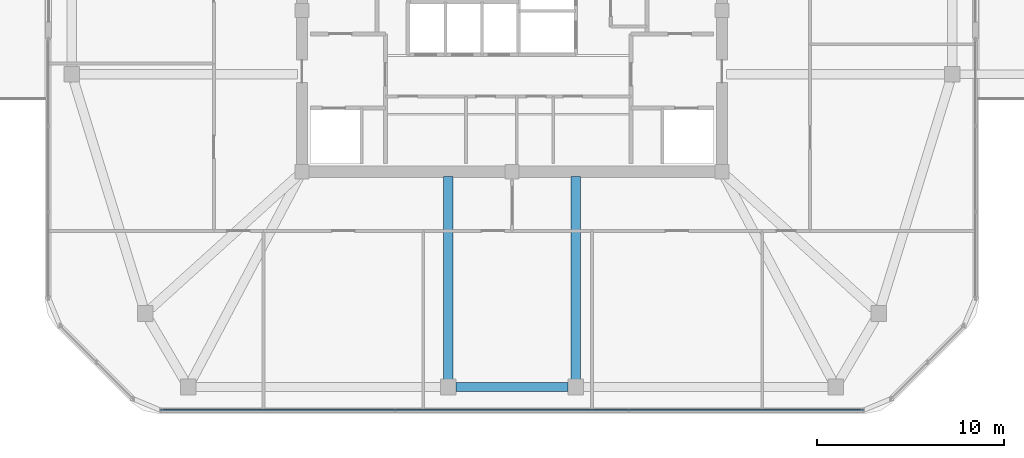
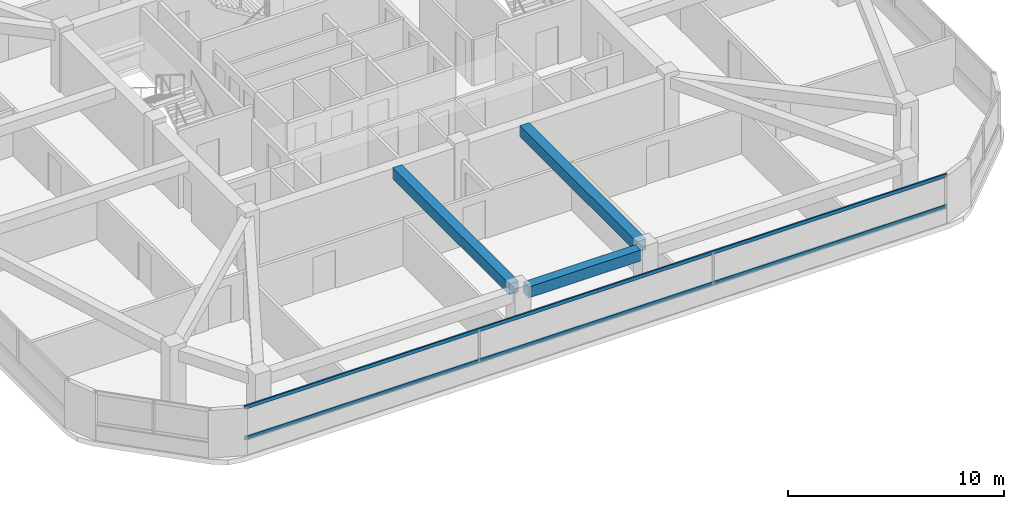
# One storey, part 3 of 13: 3 beams, 2 members, 1 element without a shape of its own.
"""IFC4 building model written with IfcOpenShell, lengths in metres."""

from ifc_helpers import new_model, si_unit, derived_unit, direction, frame, origin, origin_2d, place, context, subcontext, project, spatial, rectangle, extrude, material, material_profile, profile_set, type_object, element, aggregate, save


model = new_model("IFC4")

# Units and contexts
model_context = context("Model", 3, precision=1e-05, world=origin(), true_north=direction((0.0, 1.0)))
body_context = subcontext(model_context, "Body", "Model", "MODEL_VIEW")
ifc_project = project(units=[si_unit("LENGTHUNIT", "METRE"), si_unit("AREAUNIT", "SQUARE_METRE"), si_unit("VOLUMEUNIT", "CUBIC_METRE"), si_unit("PLANEANGLEUNIT", "RADIAN"), si_unit("MASSUNIT", "GRAM", prefix="KILO"), derived_unit("THERMALTRANSMITTANCEUNIT", [(si_unit("POWERUNIT", "WATT"), 1), (si_unit("LENGTHUNIT", "METRE"), -2), (si_unit("THERMODYNAMICTEMPERATUREUNIT", "KELVIN"), -1)])], contexts=[model_context])

# Site, building, storey
site_placement = place(None, origin())
site = spatial("IfcSite", under=ifc_project, at=site_placement, CompositionType="ELEMENT")
building_placement = place(site_placement, origin())
building = spatial("IfcBuilding", under=site, at=building_placement, Name="Koralith Skygarden Medical Center", CompositionType="ELEMENT")
storey_placement = place(building_placement, frame((0.0, 0.0, 271.6201171875)))
storey = spatial("IfcBuildingStorey", under=building, at=storey_placement, Name="L70", CompositionType="ELEMENT", Elevation=271.6201171875)

# Curtain wall, members
ifc_material_1 = material(Name="Clear Laminated Glass", Category="glass")
curtain_wall_type = type_object("IfcCurtainWallType", Name="CW-6 Zone 5 Upper Clinical Curtain Wall", PredefinedType="NOTDEFINED", material=ifc_material_1)
curtain_wall_placement = place(storey_placement, origin())
curtain_wall = element("IfcCurtainWall", 1, at=curtain_wall_placement, inside=storey, type_object=curtain_wall_type, Name="Curtain Wall CW-L70-S", PredefinedType="NOTDEFINED")
ifc_material_2 = material(Name="Aluminium 6063-T6", Category="aluminium")
ifc_material_profile_1 = material_profile(ifc_material_2, rectangle(XDim=0.077880859375, YDim=0.197998046875, at=origin_2d()), Name="TRN78X198")
ifc_profile_set_1 = profile_set([ifc_material_profile_1], Name="Aluminium 6063-T6")
member_type = type_object("IfcMemberType", Name="CW-6 Thermal Transom 78x198", PredefinedType="USERDEFINED", material=ifc_profile_set_1)
member_1_placement = place(storey_placement, frame((18.2548828125, 4.580078125, 0.89990234375), z_axis=(1.0, 0.0, 0.0), x_axis=(0.0, 1.0, 0.0)))
member_1 = element("IfcMember", 2, at=member_1_placement, type_object=member_type, Name="CW-L70-S Transom 1", ObjectType="TRANSOM", PredefinedType="USERDEFINED", context=body_context, shape_type="SweptSolid", body=[
    extrude(rectangle(XDim=0.077880859375, YDim=0.197998046875, at=origin_2d()), origin(), (0.0, 0.0, 1.0), 37.490234375),
])
member_2_placement = place(storey_placement, frame((18.2548828125, 4.580078125, 2.639892578125), z_axis=(1.0, 0.0, 0.0), x_axis=(0.0, 1.0, 0.0)))
member_2 = element("IfcMember", 3, at=member_2_placement, type_object=member_type, Name="CW-L70-S Transom 2", ObjectType="TRANSOM", PredefinedType="USERDEFINED", context=body_context, shape_type="SweptSolid", body=[
    extrude(rectangle(XDim=0.077880859375, YDim=0.197998046875, at=origin_2d()), origin(), (0.0, 0.0, 1.0), 37.490234375),
])
aggregate(curtain_wall, [member_1, member_2])

# Beams
ifc_material_3 = material(Name="Concrete C45/55", Category="concrete")
ifc_material_profile_2 = material_profile(ifc_material_3, rectangle(XDim=0.5, YDim=0.6201171875, at=origin_2d()), Name="RCB500X620")
ifc_profile_set_2 = profile_set([ifc_material_profile_2], Name="Concrete C45/55")
beam_type_1 = type_object("IfcBeamType", Name="Upper Radial Collector Beam RCB500X620", PredefinedType="BEAM", material=ifc_profile_set_2)
for number, where, z_axis, x_axis, name in (
    (4, (33.60009765625, 17.050048828125, 3.009765625), (0.0, -1.0, 0.0), (1.0, 0.0, 0.0), "L70 Radial Collector Beam RB-04"),
    (5, (40.39990234375, 17.050048828125, 3.009765625), (0.0, -1.0, 0.0), (1.0, 0.0, 0.0), "L70 Radial Collector Beam RB-05"),
):
    element("IfcBeam", number, at=place(storey_placement, frame(where, z_axis=z_axis, x_axis=x_axis)), inside=storey, type_object=beam_type_1, Name=name, PredefinedType="BEAM", context=body_context, shape_type="SweptSolid", body=[
        extrude(rectangle(XDim=0.5, YDim=0.6201171875, at=origin_2d()), origin(), (0.0, 0.0, 1.0), 10.820068359375),
    ])
ifc_material_profile_3 = material_profile(ifc_material_3, rectangle(XDim=0.5, YDim=0.6201171875, at=origin_2d()), Name="RCB500X620")
ifc_profile_set_3 = profile_set([ifc_material_profile_3], Name="Concrete C45/55")
beam_type_2 = type_object("IfcBeamType", Name="Zone 4-5 Spandrel Beam RCB500X620", PredefinedType="SPANDREL", material=ifc_profile_set_3)
beam_placement = place(storey_placement, frame((34.010009765625, 5.820068359375, 3.009765625), z_axis=(1.0, 0.0, 0.0), x_axis=(0.0, 1.0, 0.0)))
element("IfcBeam", 6, at=beam_placement, inside=storey, type_object=beam_type_2, Name="L70 Perimeter Spandrel Beam SP-04", PredefinedType="SPANDREL", context=body_context, shape_type="SweptSolid", body=[
    extrude(rectangle(XDim=0.5, YDim=0.6201171875, at=origin_2d()), origin(), (0.0, 0.0, 1.0), 5.97998046875),
])

save(model, "model.ifc")
